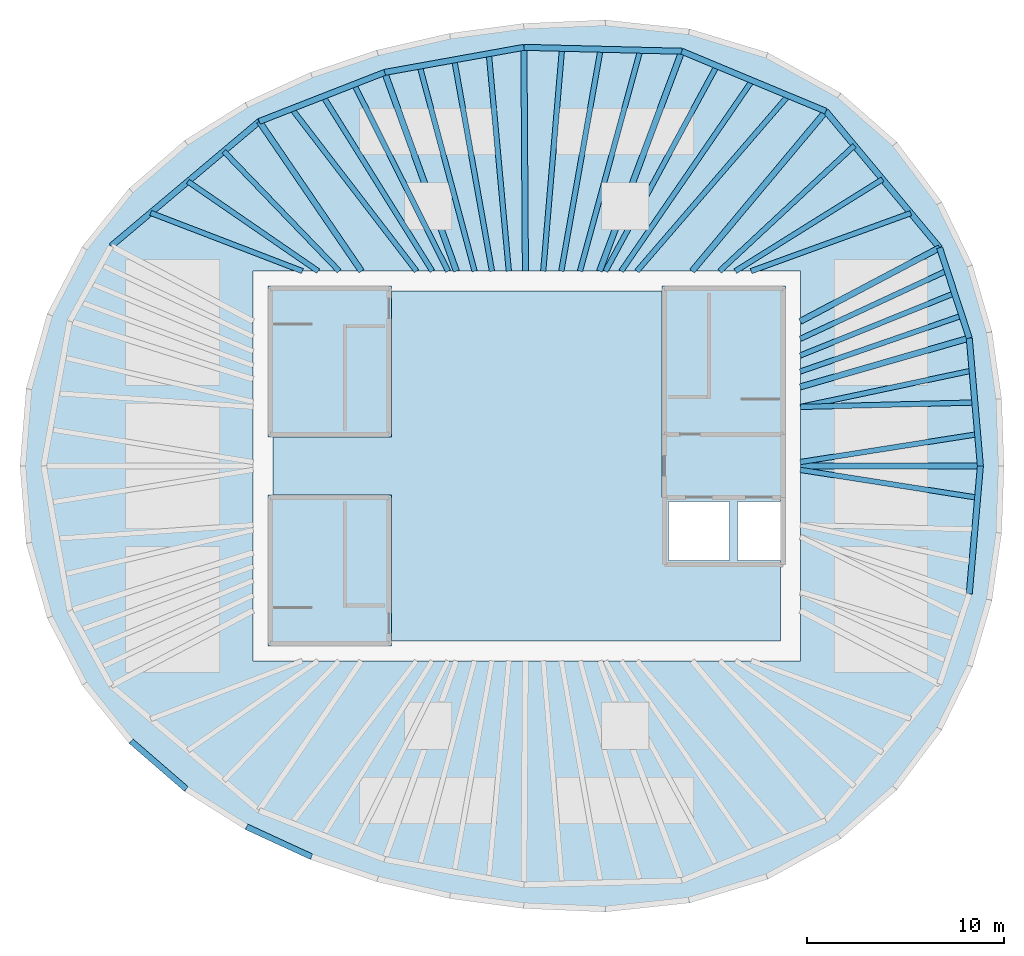
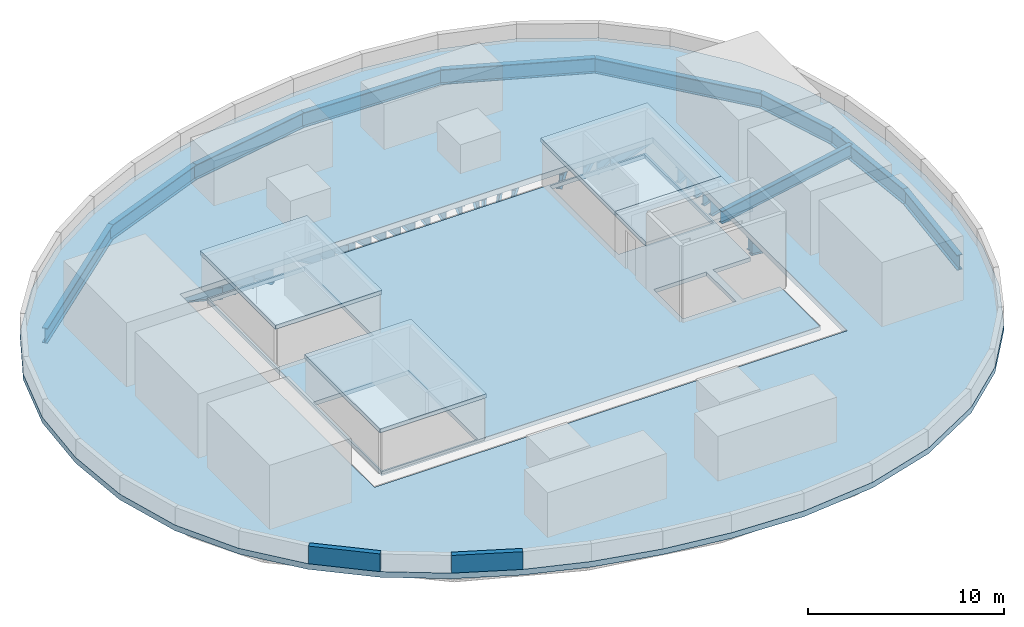
# One storey, part 2 of 6: 42 beams, 6 slabs, 2 walls.
"""IFC4 building model written with IfcOpenShell, lengths in metres."""

from ifc_helpers import new_model, si_unit, direction, frame, frame_2d, origin, origin_2d, place, context, subcontext, project, spatial, polyline, rectangle, i_section, outline, extrude, material, layer, layer_set, material_profile, profile_set, type_object, element, save


model = new_model("IFC4")

# Units and contexts
model_context = context("Model", 3, precision=1e-05, world=origin(), true_north=direction((0.0, 1.0)))
body_context = subcontext(model_context, "Body", "Model", "MODEL_VIEW")
ifc_project = project(units=[si_unit("LENGTHUNIT", "METRE"), si_unit("AREAUNIT", "SQUARE_METRE"), si_unit("VOLUMEUNIT", "CUBIC_METRE"), si_unit("PLANEANGLEUNIT", "RADIAN"), si_unit("MASSUNIT", "GRAM", prefix="KILO")], contexts=[model_context])

# Site, building, storey
site_placement = place(None, origin())
site = spatial("IfcSite", under=ifc_project, at=site_placement, CompositionType="ELEMENT")
building_placement = place(site_placement, origin())
building = spatial("IfcBuilding", under=site, at=building_placement, Name="Ghaith Harvest Tower", CompositionType="ELEMENT")
storey_placement = place(building_placement, frame((0.0, 0.0, 349.199951171875)))
storey = spatial("IfcBuildingStorey", under=building, at=storey_placement, Name="RF", CompositionType="ELEMENT", Elevation=349.199951171875)

# Beams
ifc_material_1 = material(Name="Steel ASTM A992 Grade 50", Category="steel")
ifc_material_profile_1 = material_profile(ifc_material_1, i_section(OverallWidth=0.306884765625, OverallDepth=0.94189453125, WebThickness=0.022216796875, FlangeThickness=0.039794921875, at=origin_2d()), Name="W920X345")
ifc_profile_set_1 = profile_set([ifc_material_profile_1], Name="Steel ASTM A992 Grade 50")
beam_type_1 = type_object("IfcBeamType", Name="E920-345 W920X345", PredefinedType="SPANDREL", material=ifc_profile_set_1)
beam_1_placement = place(storey_placement, frame((23.050048828125, 0.0, -0.821044921875), z_axis=(-0.086600547306, 0.996243115513, 0.0), x_axis=(-0.996243115513, -0.086600547306, 0.0)))
element("IfcBeam", 1, at=beam_1_placement, inside=storey, type_object=beam_type_1, Name="Edge beam E01 RF", PredefinedType="SPANDREL", context=body_context, shape_type="SweptSolid", body=[
    extrude(i_section(OverallWidth=0.306884765625, OverallDepth=0.94189453125, WebThickness=0.022216796875, FlangeThickness=0.039794921875, at=origin_2d()), origin(), (0.0, 0.0, 1.0), 6.5234375),
])
beam_2_placement = place(storey_placement, frame((22.485107421875, 6.4990234375, -0.821044921875), z_axis=(-0.312206727278, 0.950014189074, 0.0), x_axis=(-0.950014189074, -0.312206727278, 0.0)))
element("IfcBeam", 2, at=beam_2_placement, inside=storey, type_object=beam_type_1, Name="Edge beam E02 RF", PredefinedType="SPANDREL", context=body_context, shape_type="SweptSolid", body=[
    extrude(i_section(OverallWidth=0.306884765625, OverallDepth=0.94189453125, WebThickness=0.022216796875, FlangeThickness=0.039794921875, at=origin_2d()), origin(), (0.0, 0.0, 1.0), 4.830322265625),
])
beam_3_placement = place(storey_placement, frame((20.97705078125, 11.087890625, -0.821044921875), z_axis=(-0.640173759088, 0.76823014662, 0.0), x_axis=(-0.76823014662, -0.640173759088, 0.0)))
element("IfcBeam", 3, at=beam_3_placement, inside=storey, type_object=beam_type_1, Name="Edge beam E03 RF", PredefinedType="SPANDREL", context=body_context, shape_type="SweptSolid", body=[
    extrude(i_section(OverallWidth=0.306884765625, OverallDepth=0.94189453125, WebThickness=0.022216796875, FlangeThickness=0.039794921875, at=origin_2d()), origin(), (0.0, 0.0, 1.0), 9.02734375),
])
beam_4_placement = place(storey_placement, frame((15.197998046875, 18.02294921875, -0.821044921875), z_axis=(-0.923119729219, 0.384512633766, 0.0), x_axis=(-0.384512633766, -0.923119729219, 0.0)))
element("IfcBeam", 4, at=beam_4_placement, inside=storey, type_object=beam_type_1, Name="Edge beam E04 RF", PredefinedType="SPANDREL", context=body_context, shape_type="SweptSolid", body=[
    extrude(i_section(OverallWidth=0.306884765625, OverallDepth=0.94189453125, WebThickness=0.022216796875, FlangeThickness=0.039794921875, at=origin_2d()), origin(), (0.0, 0.0, 1.0), 7.9296875),
])
beam_5_placement = place(storey_placement, frame((7.8779296875, 21.072021484375, -0.821044921875), z_axis=(-0.999692679676, 0.024790042413, 0.0), x_axis=(-0.024790042413, -0.999692679676, 0.0)))
element("IfcBeam", 5, at=beam_5_placement, inside=storey, type_object=beam_type_1, Name="Edge beam E05 RF", PredefinedType="SPANDREL", context=body_context, shape_type="SweptSolid", body=[
    extrude(i_section(OverallWidth=0.306884765625, OverallDepth=0.94189453125, WebThickness=0.022216796875, FlangeThickness=0.039794921875, at=origin_2d()), origin(), (0.0, 0.0, 1.0), 8.0263671875),
])
beam_6_placement = place(storey_placement, frame((-0.14599609375, 21.27099609375, -0.821044921875), z_axis=(-0.984177047684, -0.177187863051, 0.0), x_axis=(0.177187863051, -0.984177047684, 0.0)))
element("IfcBeam", 6, at=beam_6_placement, inside=storey, type_object=beam_type_1, Name="Edge beam E06 RF", PredefinedType="SPANDREL", context=body_context, shape_type="SweptSolid", body=[
    extrude(i_section(OverallWidth=0.306884765625, OverallDepth=0.94189453125, WebThickness=0.022216796875, FlangeThickness=0.039794921875, at=origin_2d()), origin(), (0.0, 0.0, 1.0), 7.189697265625),
])
beam_7_placement = place(storey_placement, frame((-7.221923828125, 19.9970703125, -0.821044921875), z_axis=(-0.931322768207, -0.364194867371, 0.0), x_axis=(0.364194867371, -0.931322768207, 0.0)))
element("IfcBeam", 7, at=beam_7_placement, inside=storey, type_object=beam_type_1, Name="Edge beam E07 RF", PredefinedType="SPANDREL", context=body_context, shape_type="SweptSolid", body=[
    extrude(i_section(OverallWidth=0.306884765625, OverallDepth=0.94189453125, WebThickness=0.022216796875, FlangeThickness=0.039794921875, at=origin_2d()), origin(), (0.0, 0.0, 1.0), 6.843017578125),
])
beam_8_placement = place(storey_placement, frame((-13.594970703125, 17.5048828125, -0.821044921875), z_axis=(-0.765021818761, -0.64400436087, 0.0), x_axis=(0.64400436087, -0.765021818761, 0.0)))
element("IfcBeam", 8, at=beam_8_placement, inside=storey, type_object=beam_type_1, Name="Edge beam E08 RF", PredefinedType="SPANDREL", context=body_context, shape_type="SweptSolid", body=[
    extrude(i_section(OverallWidth=0.306884765625, OverallDepth=0.94189453125, WebThickness=0.022216796875, FlangeThickness=0.039794921875, at=origin_2d()), origin(), (0.0, 0.0, 1.0), 9.8427734375),
])
beam_9_placement = place(storey_placement, frame((22.485107421875, -6.4990234375, -0.821044921875), z_axis=(0.086600547306, 0.996243115513, 0.0), x_axis=(-0.996243115513, 0.086600547306, 0.0)))
element("IfcBeam", 9, at=beam_9_placement, inside=storey, type_object=beam_type_1, Name="Edge beam E20 RF", PredefinedType="SPANDREL", context=body_context, shape_type="SweptSolid", body=[
    extrude(i_section(OverallWidth=0.306884765625, OverallDepth=0.94189453125, WebThickness=0.022216796875, FlangeThickness=0.039794921875, at=origin_2d()), origin(), (0.0, 0.0, 1.0), 6.5234375),
])
ifc_material_2 = material(Name="Steel ASTM A992 Grade 50", Category="steel")
ifc_material_profile_2 = material_profile(ifc_material_2, i_section(OverallWidth=0.31005859375, OverallDepth=0.927001953125, WebThickness=0.019287109375, FlangeThickness=0.031982421875, at=origin_2d()), Name="W920X289")
ifc_profile_set_2 = profile_set([ifc_material_profile_2], Name="Steel ASTM A992 Grade 50")
beam_type_2 = type_object("IfcBeamType", Name="G920-289 W920X289", PredefinedType="BEAM", material=ifc_profile_set_2)
beam_10_placement = place(storey_placement, frame((13.89990234375, 0.0, -0.8134765625), z_axis=(1.0, 0.0, 0.0), x_axis=(0.0, 1.0, 0.0)))
element("IfcBeam", 10, at=beam_10_placement, inside=storey, type_object=beam_type_2, Name="Radial girder G01 RF", PredefinedType="BEAM", context=body_context, shape_type="SweptSolid", body=[
    extrude(i_section(OverallWidth=0.31005859375, OverallDepth=0.927001953125, WebThickness=0.019287109375, FlangeThickness=0.031982421875, at=origin_2d()), origin(), (0.0, 0.0, 1.0), 9.150146484375),
])
beam_11_placement = place(storey_placement, frame((13.89990234375, 4.017333984375, -0.8134765625), z_axis=(0.960668846071, 0.27769653975, 0.0), x_axis=(-0.27769653975, 0.960668846071, 0.0)))
element("IfcBeam", 11, at=beam_11_placement, inside=storey, type_object=beam_type_2, Name="Radial girder G02 RF", PredefinedType="BEAM", context=body_context, shape_type="SweptSolid", body=[
    extrude(i_section(OverallWidth=0.31005859375, OverallDepth=0.927001953125, WebThickness=0.019287109375, FlangeThickness=0.031982421875, at=origin_2d()), origin(), (0.0, 0.0, 1.0), 8.936767578125),
])
beam_12_placement = place(storey_placement, frame((13.89990234375, 7.34716796875, -0.8134765625), z_axis=(0.884097820364, 0.467301876764, 0.0), x_axis=(-0.467301876764, 0.884097820364, 0.0)))
element("IfcBeam", 12, at=beam_12_placement, inside=storey, type_object=beam_type_2, Name="Radial girder G03 RF", PredefinedType="BEAM", context=body_context, shape_type="SweptSolid", body=[
    extrude(i_section(OverallWidth=0.31005859375, OverallDepth=0.927001953125, WebThickness=0.019287109375, FlangeThickness=0.031982421875, at=origin_2d()), origin(), (0.0, 0.0, 1.0), 8.0048828125),
])
beam_13_placement = place(storey_placement, frame((8.39990234375, 9.89990234375, -0.8134765625), z_axis=(0.641792628883, 0.766878231215, 0.0), x_axis=(-0.766878231215, 0.641792628883, 0.0)))
element("IfcBeam", 13, at=beam_13_placement, inside=storey, type_object=beam_type_2, Name="Radial girder G04 RF", PredefinedType="BEAM", context=body_context, shape_type="SweptSolid", body=[
    extrude(i_section(OverallWidth=0.31005859375, OverallDepth=0.927001953125, WebThickness=0.019287109375, FlangeThickness=0.031982421875, at=origin_2d()), origin(), (0.0, 0.0, 1.0), 10.59228515625),
])
beam_14_placement = place(storey_placement, frame((3.700927734375, 9.89990234375, -0.8134765625), z_axis=(0.350201332531, 0.936674450753, 0.0), x_axis=(-0.936674450753, 0.350201332531, 0.0)))
element("IfcBeam", 14, at=beam_14_placement, inside=storey, type_object=beam_type_2, Name="Radial girder G05 RF", PredefinedType="BEAM", context=body_context, shape_type="SweptSolid", body=[
    extrude(i_section(OverallWidth=0.31005859375, OverallDepth=0.927001953125, WebThickness=0.019287109375, FlangeThickness=0.031982421875, at=origin_2d()), origin(), (0.0, 0.0, 1.0), 11.927490234375),
])
beam_15_placement = place(storey_placement, frame((-0.06787109375, 9.89990234375, -0.8134765625), z_axis=(-0.00687032909, 0.999976399011, 0.0), x_axis=(-0.999976399011, -0.00687032909, 0.0)))
element("IfcBeam", 15, at=beam_15_placement, inside=storey, type_object=beam_type_2, Name="Radial girder G06 RF", PredefinedType="BEAM", context=body_context, shape_type="SweptSolid", body=[
    extrude(i_section(OverallWidth=0.31005859375, OverallDepth=0.927001953125, WebThickness=0.019287109375, FlangeThickness=0.031982421875, at=origin_2d()), origin(), (0.0, 0.0, 1.0), 11.371337890625),
])
beam_16_placement = place(storey_placement, frame((-3.57568359375, 9.89990234375, -0.8134765625), z_axis=(-0.339647816823, 0.940552688863, 0.0), x_axis=(-0.940552688863, -0.339647816823, 0.0)))
element("IfcBeam", 16, at=beam_16_placement, inside=storey, type_object=beam_type_2, Name="Radial girder G07 RF", PredefinedType="BEAM", context=body_context, shape_type="SweptSolid", body=[
    extrude(i_section(OverallWidth=0.31005859375, OverallDepth=0.927001953125, WebThickness=0.019287109375, FlangeThickness=0.031982421875, at=origin_2d()), origin(), (0.0, 0.0, 1.0), 10.7353515625),
])
beam_17_placement = place(storey_placement, frame((-8.39990234375, 9.89990234375, -0.8134765625), z_axis=(-0.564067018201, 0.825729010619, 0.0), x_axis=(-0.825729010619, -0.564067018201, 0.0)))
element("IfcBeam", 17, at=beam_17_placement, inside=storey, type_object=beam_type_2, Name="Radial girder G08 RF", PredefinedType="BEAM", context=body_context, shape_type="SweptSolid", body=[
    extrude(i_section(OverallWidth=0.31005859375, OverallDepth=0.927001953125, WebThickness=0.019287109375, FlangeThickness=0.031982421875, at=origin_2d()), origin(), (0.0, 0.0, 1.0), 9.2099609375),
])
ifc_material_3 = material(Name="Steel ASTM A992 Grade 50", Category="steel")
ifc_material_profile_3 = material_profile(ifc_material_3, i_section(OverallWidth=0.26806640625, OverallDepth=0.77001953125, WebThickness=0.015625, FlangeThickness=0.025390625, at=origin_2d()), Name="W760X196")
ifc_profile_set_3 = profile_set([ifc_material_profile_3], Name="Steel ASTM A992 Grade 50")
beam_type_3 = type_object("IfcBeamType", Name="J760-196 W760X196", PredefinedType="JOIST", material=ifc_profile_set_3)
beam_18_placement = place(storey_placement, frame((13.89990234375, 0.199951171875, -0.73486328125), z_axis=(0.987906665526, 0.155049734628, 0.0), x_axis=(-0.155049734628, 0.987906665526, 0.0)))
element("IfcBeam", 18, at=beam_18_placement, inside=storey, type_object=beam_type_3, Name="Joist J01.1 RF", PredefinedType="JOIST", context=body_context, shape_type="SweptSolid", body=[
    extrude(i_section(OverallWidth=0.26806640625, OverallDepth=0.77001953125, WebThickness=0.015625, FlangeThickness=0.025390625, at=origin_2d()), origin(), (0.0, 0.0, 1.0), 9.1201171875),
])
beam_19_placement = place(storey_placement, frame((13.89990234375, 3.0, -0.73486328125), z_axis=(0.999679533859, 0.025314612071, 0.0), x_axis=(-0.025314612071, 0.999679533859, 0.0)))
element("IfcBeam", 19, at=beam_19_placement, inside=storey, type_object=beam_type_3, Name="Joist J01.2 RF", PredefinedType="JOIST", context=body_context, shape_type="SweptSolid", body=[
    extrude(i_section(OverallWidth=0.26806640625, OverallDepth=0.77001953125, WebThickness=0.015625, FlangeThickness=0.025390625, at=origin_2d()), origin(), (0.0, 0.0, 1.0), 8.872802734375),
])
beam_20_placement = place(storey_placement, frame((13.89990234375, 3.0, -0.73486328125), z_axis=(0.97833382446, 0.207033639579, 0.0), x_axis=(-0.207033639579, 0.97833382446, 0.0)))
element("IfcBeam", 20, at=beam_20_placement, inside=storey, type_object=beam_type_3, Name="Joist J01.3 RF", PredefinedType="JOIST", context=body_context, shape_type="SweptSolid", body=[
    extrude(i_section(OverallWidth=0.26806640625, OverallDepth=0.77001953125, WebThickness=0.015625, FlangeThickness=0.025390625, at=origin_2d()), origin(), (0.0, 0.0, 1.0), 8.922119140625),
])
beam_21_placement = place(storey_placement, frame((13.89990234375, 4.801025390625, -0.73486328125), z_axis=(0.945204712775, 0.326478254937, 0.0), x_axis=(-0.326478254937, 0.945204712775, 0.0)))
element("IfcBeam", 21, at=beam_21_placement, inside=storey, type_object=beam_type_3, Name="Joist J02.1 RF", PredefinedType="JOIST", context=body_context, shape_type="SweptSolid", body=[
    extrude(i_section(OverallWidth=0.26806640625, OverallDepth=0.77001953125, WebThickness=0.015625, FlangeThickness=0.025390625, at=origin_2d()), origin(), (0.0, 0.0, 1.0), 8.687255859375),
])
beam_22_placement = place(storey_placement, frame((13.89990234375, 5.61328125, -0.73486328125), z_axis=(0.927254375113, 0.374432001615, 0.0), x_axis=(-0.374432001615, 0.927254375113, 0.0)))
element("IfcBeam", 22, at=beam_22_placement, inside=storey, type_object=beam_type_3, Name="Joist J02.2 RF", PredefinedType="JOIST", context=body_context, shape_type="SweptSolid", body=[
    extrude(i_section(OverallWidth=0.26806640625, OverallDepth=0.77001953125, WebThickness=0.015625, FlangeThickness=0.025390625, at=origin_2d()), origin(), (0.0, 0.0, 1.0), 8.450927734375),
])
beam_23_placement = place(storey_placement, frame((13.89990234375, 6.45947265625, -0.73486328125), z_axis=(0.906859906661, 0.42143221245, 0.0), x_axis=(-0.42143221245, 0.906859906661, 0.0)))
element("IfcBeam", 23, at=beam_23_placement, inside=storey, type_object=beam_type_3, Name="Joist J02.3 RF", PredefinedType="JOIST", context=body_context, shape_type="SweptSolid", body=[
    extrude(i_section(OverallWidth=0.26806640625, OverallDepth=0.77001953125, WebThickness=0.015625, FlangeThickness=0.025390625, at=origin_2d()), origin(), (0.0, 0.0, 1.0), 8.22509765625),
])
beam_24_placement = place(storey_placement, frame((11.39990234375, 9.89990234375, -0.73486328125), z_axis=(0.939925501564, 0.341379629605, 0.0), x_axis=(-0.341379629605, 0.939925501564, 0.0)))
element("IfcBeam", 24, at=beam_24_placement, inside=storey, type_object=beam_type_3, Name="Joist J03.1 RF", PredefinedType="JOIST", context=body_context, shape_type="SweptSolid", body=[
    extrude(i_section(OverallWidth=0.26806640625, OverallDepth=0.77001953125, WebThickness=0.015625, FlangeThickness=0.025390625, at=origin_2d()), origin(), (0.0, 0.0, 1.0), 8.630615234375),
])
beam_25_placement = place(storey_placement, frame((10.60009765625, 9.89990234375, -0.73486328125), z_axis=(0.84837619421, 0.52939383553, 0.0), x_axis=(-0.52939383553, 0.84837619421, 0.0)))
element("IfcBeam", 25, at=beam_25_placement, inside=storey, type_object=beam_type_3, Name="Joist J03.2 RF", PredefinedType="JOIST", context=body_context, shape_type="SweptSolid", body=[
    extrude(i_section(OverallWidth=0.26806640625, OverallDepth=0.77001953125, WebThickness=0.015625, FlangeThickness=0.025390625, at=origin_2d()), origin(), (0.0, 0.0, 1.0), 8.814697265625),
])
beam_26_placement = place(storey_placement, frame((9.800048828125, 9.89990234375, -0.73486328125), z_axis=(0.73164904944, 0.681681500742, 0.0), x_axis=(-0.681681500742, 0.73164904944, 0.0)))
element("IfcBeam", 26, at=beam_26_placement, inside=storey, type_object=beam_type_3, Name="Joist J03.3 RF", PredefinedType="JOIST", context=body_context, shape_type="SweptSolid", body=[
    extrude(i_section(OverallWidth=0.26806640625, OverallDepth=0.77001953125, WebThickness=0.015625, FlangeThickness=0.025390625, at=origin_2d()), origin(), (0.0, 0.0, 1.0), 9.361572265625),
])
beam_27_placement = place(storey_placement, frame((5.60009765625, 9.89990234375, -0.73486328125), z_axis=(0.652992938501, 0.757363995888, 0.0), x_axis=(-0.757363995888, 0.652992938501, 0.0)))
element("IfcBeam", 27, at=beam_27_placement, inside=storey, type_object=beam_type_3, Name="Joist J04.1 RF", PredefinedType="JOIST", context=body_context, shape_type="SweptSolid", body=[
    extrude(i_section(OverallWidth=0.26806640625, OverallDepth=0.77001953125, WebThickness=0.015625, FlangeThickness=0.025390625, at=origin_2d()), origin(), (0.0, 0.0, 1.0), 11.775390625),
])
beam_28_placement = place(storey_placement, frame((4.800048828125, 9.89990234375, -0.73486328125), z_axis=(0.566228035119, 0.824248634967, 0.0), x_axis=(-0.824248634967, 0.566228035119, 0.0)))
element("IfcBeam", 28, at=beam_28_placement, inside=storey, type_object=beam_type_3, Name="Joist J04.2 RF", PredefinedType="JOIST", context=body_context, shape_type="SweptSolid", body=[
    extrude(i_section(OverallWidth=0.26806640625, OverallDepth=0.77001953125, WebThickness=0.015625, FlangeThickness=0.025390625, at=origin_2d()), origin(), (0.0, 0.0, 1.0), 11.748046875),
])
beam_29_placement = place(storey_placement, frame((4.0, 9.89990234375, -0.73486328125), z_axis=(0.476764926531, 0.879030832696, 0.0), x_axis=(-0.879030832696, 0.476764926531, 0.0)))
element("IfcBeam", 29, at=beam_29_placement, inside=storey, type_object=beam_type_3, Name="Joist J04.3 RF", PredefinedType="JOIST", context=body_context, shape_type="SweptSolid", body=[
    extrude(i_section(OverallWidth=0.26806640625, OverallDepth=0.77001953125, WebThickness=0.015625, FlangeThickness=0.025390625, at=origin_2d()), origin(), (0.0, 0.0, 1.0), 11.866455078125),
])
beam_30_placement = place(storey_placement, frame((2.70361328125, 9.89990234375, -0.73486328125), z_axis=(0.263456499314, 0.964671277156, 0.0), x_axis=(-0.964671277156, 0.263456499314, 0.0)))
element("IfcBeam", 30, at=beam_30_placement, inside=storey, type_object=beam_type_3, Name="Joist J05.1 RF", PredefinedType="JOIST", context=body_context, shape_type="SweptSolid", body=[
    extrude(i_section(OverallWidth=0.26806640625, OverallDepth=0.77001953125, WebThickness=0.015625, FlangeThickness=0.025390625, at=origin_2d()), origin(), (0.0, 0.0, 1.0), 11.635498046875),
])
beam_31_placement = place(storey_placement, frame((1.7548828125, 9.89990234375, -0.73486328125), z_axis=(0.174562528022, 0.984646090639, 0.0), x_axis=(-0.984646090639, 0.174562528022, 0.0)))
element("IfcBeam", 31, at=beam_31_placement, inside=storey, type_object=beam_type_3, Name="Joist J05.2 RF", PredefinedType="JOIST", context=body_context, shape_type="SweptSolid", body=[
    extrude(i_section(OverallWidth=0.26806640625, OverallDepth=0.77001953125, WebThickness=0.015625, FlangeThickness=0.025390625, at=origin_2d()), origin(), (0.0, 0.0, 1.0), 11.4501953125),
])
beam_32_placement = place(storey_placement, frame((0.836669921875, 9.89990234375, -0.73486328125), z_axis=(0.084199386432, 0.996448926601, 0.0), x_axis=(-0.996448926601, 0.084199386432, 0.0)))
element("IfcBeam", 32, at=beam_32_placement, inside=storey, type_object=beam_type_3, Name="Joist J05.3 RF", PredefinedType="JOIST", context=body_context, shape_type="SweptSolid", body=[
    extrude(i_section(OverallWidth=0.26806640625, OverallDepth=0.77001953125, WebThickness=0.015625, FlangeThickness=0.025390625, at=origin_2d()), origin(), (0.0, 0.0, 1.0), 11.36328125),
])
beam_33_placement = place(storey_placement, frame((-0.9111328125, 9.89990234375, -0.73486328125), z_axis=(-0.091654473201, 0.995790870385, 0.0), x_axis=(-0.995790870385, -0.091654473201, 0.0)))
element("IfcBeam", 33, at=beam_33_placement, inside=storey, type_object=beam_type_3, Name="Joist J06.1 RF", PredefinedType="JOIST", context=body_context, shape_type="SweptSolid", body=[
    extrude(i_section(OverallWidth=0.26806640625, OverallDepth=0.77001953125, WebThickness=0.015625, FlangeThickness=0.025390625, at=origin_2d()), origin(), (0.0, 0.0, 1.0), 11.096923828125),
])
beam_34_placement = place(storey_placement, frame((-1.76806640625, 9.89990234375, -0.73486328125), z_axis=(-0.175789088574, 0.984427852277, 0.0), x_axis=(-0.984427852277, -0.175789088574, 0.0)))
element("IfcBeam", 34, at=beam_34_placement, inside=storey, type_object=beam_type_3, Name="Joist J06.2 RF", PredefinedType="JOIST", context=body_context, shape_type="SweptSolid", body=[
    extrude(i_section(OverallWidth=0.26806640625, OverallDepth=0.77001953125, WebThickness=0.015625, FlangeThickness=0.025390625, at=origin_2d()), origin(), (0.0, 0.0, 1.0), 10.903564453125),
])
beam_35_placement = place(storey_placement, frame((-2.651123046875, 9.89990234375, -0.73486328125), z_axis=(-0.258678376387, 0.96596350738, 0.0), x_axis=(-0.96596350738, -0.258678376387, 0.0)))
element("IfcBeam", 35, at=beam_35_placement, inside=storey, type_object=beam_type_3, Name="Joist J06.3 RF", PredefinedType="JOIST", context=body_context, shape_type="SweptSolid", body=[
    extrude(i_section(OverallWidth=0.26806640625, OverallDepth=0.77001953125, WebThickness=0.015625, FlangeThickness=0.025390625, at=origin_2d()), origin(), (0.0, 0.0, 1.0), 10.784912109375),
])
beam_36_placement = place(storey_placement, frame((-4.0, 9.89990234375, -0.73486328125), z_axis=(-0.449556131123, 0.893252083664, 0.0), x_axis=(-0.893252083664, -0.449556131123, 0.0)))
element("IfcBeam", 36, at=beam_36_placement, inside=storey, type_object=beam_type_3, Name="Joist J07.1 RF", PredefinedType="JOIST", context=body_context, shape_type="SweptSolid", body=[
    extrude(i_section(OverallWidth=0.26806640625, OverallDepth=0.77001953125, WebThickness=0.015625, FlangeThickness=0.025390625, at=origin_2d()), origin(), (0.0, 0.0, 1.0), 10.62353515625),
])
beam_37_placement = place(storey_placement, frame((-4.800048828125, 9.89990234375, -0.73486328125), z_axis=(-0.529596254905, 0.848249849273, 0.0), x_axis=(-0.848249849273, -0.529596254905, 0.0)))
element("IfcBeam", 37, at=beam_37_placement, inside=storey, type_object=beam_type_3, Name="Joist J07.2 RF", PredefinedType="JOIST", context=body_context, shape_type="SweptSolid", body=[
    extrude(i_section(OverallWidth=0.26806640625, OverallDepth=0.77001953125, WebThickness=0.015625, FlangeThickness=0.025390625, at=origin_2d()), origin(), (0.0, 0.0, 1.0), 10.465087890625),
])
beam_38_placement = place(storey_placement, frame((-5.60009765625, 9.89990234375, -0.73486328125), z_axis=(-0.609353577926, 0.792898617144, 0.0), x_axis=(-0.792898617144, -0.609353577926, 0.0)))
element("IfcBeam", 38, at=beam_38_placement, inside=storey, type_object=beam_type_3, Name="Joist J07.3 RF", PredefinedType="JOIST", context=body_context, shape_type="SweptSolid", body=[
    extrude(i_section(OverallWidth=0.26806640625, OverallDepth=0.77001953125, WebThickness=0.015625, FlangeThickness=0.025390625, at=origin_2d()), origin(), (0.0, 0.0, 1.0), 10.406982421875),
])
beam_39_placement = place(storey_placement, frame((-9.530517578125, 9.89990234375, -0.73486328125), z_axis=(-0.693536238632, 0.720421741554, 0.0), x_axis=(-0.720421741554, -0.693536238632, 0.0)))
element("IfcBeam", 39, at=beam_39_placement, inside=storey, type_object=beam_type_3, Name="Joist J08.1 RF", PredefinedType="JOIST", context=body_context, shape_type="SweptSolid", body=[
    extrude(i_section(OverallWidth=0.26806640625, OverallDepth=0.77001953125, WebThickness=0.015625, FlangeThickness=0.025390625, at=origin_2d()), origin(), (0.0, 0.0, 1.0), 8.4541015625),
])
beam_40_placement = place(storey_placement, frame((-10.60009765625, 9.89990234375, -0.73486328125), z_axis=(-0.823778502511, 0.566911791023, 0.0), x_axis=(-0.566911791023, -0.823778502511, 0.0)))
element("IfcBeam", 40, at=beam_40_placement, inside=storey, type_object=beam_type_3, Name="Joist J08.2 RF", PredefinedType="JOIST", context=body_context, shape_type="SweptSolid", body=[
    extrude(i_section(OverallWidth=0.26806640625, OverallDepth=0.77001953125, WebThickness=0.015625, FlangeThickness=0.025390625, at=origin_2d()), origin(), (0.0, 0.0, 1.0), 8.0341796875),
])
beam_41_placement = place(storey_placement, frame((-11.39990234375, 9.89990234375, -0.73486328125), z_axis=(-0.933583045329, 0.358361127181, 0.0), x_axis=(-0.358361127181, -0.933583045329, 0.0)))
element("IfcBeam", 41, at=beam_41_placement, inside=storey, type_object=beam_type_3, Name="Joist J08.3 RF", PredefinedType="JOIST", context=body_context, shape_type="SweptSolid", body=[
    extrude(i_section(OverallWidth=0.26806640625, OverallDepth=0.77001953125, WebThickness=0.015625, FlangeThickness=0.025390625, at=origin_2d()), origin(), (0.0, 0.0, 1.0), 8.260986328125),
])
beam_42_placement = place(storey_placement, frame((13.89990234375, -0.199951171875, -0.73486328125), z_axis=(0.987906665526, -0.155049734628, 0.0), x_axis=(0.155049734628, 0.987906665526, 0.0)))
element("IfcBeam", 42, at=beam_42_placement, inside=storey, type_object=beam_type_3, Name="Joist J20.3 RF", PredefinedType="JOIST", context=body_context, shape_type="SweptSolid", body=[
    extrude(i_section(OverallWidth=0.26806640625, OverallDepth=0.77001953125, WebThickness=0.015625, FlangeThickness=0.025390625, at=origin_2d()), origin(), (0.0, 0.0, 1.0), 9.1201171875),
])

# Slabs
ifc_material_4 = material(Name="Concrete C40/50", Category="concrete")
ifc_layer_1 = layer(ifc_material_4, 0.25)
ifc_layer_set_1 = layer_set([ifc_layer_1], Name="HEAD-HOUSE ROOF SLAB 250")
slab_type_1 = type_object("IfcSlabType", Name="HEAD-HOUSE ROOF SLAB 250", PredefinedType="ROOF", material=ifc_layer_set_1)
slab_1_placement = place(storey_placement, frame((0.0, 0.0, 2.650146484375)))
element("IfcSlab", 43, at=slab_1_placement, inside=storey, type_object=slab_type_1, Name="Stair ST1 head-house roof", PredefinedType="ROOF", context=body_context, shape_type="SweptSolid", body=[
    extrude(outline(polyline([(-13.14990234375, 9.14990234375), (-13.14990234375, 1.47509765625), (-6.875, 1.47509765625), (-6.875, 9.14990234375), (-13.14990234375, 9.14990234375)])), origin(), (0.0, 0.0, 1.0), 0.25),
])
slab_2_placement = place(storey_placement, frame((0.0, 0.0, 2.650146484375)))
element("IfcSlab", 44, at=slab_2_placement, inside=storey, type_object=slab_type_1, Name="Stair ST3 head-house roof", PredefinedType="ROOF", context=body_context, shape_type="SweptSolid", body=[
    extrude(outline(polyline([(-13.14990234375, -9.14990234375), (-13.14990234375, -1.47509765625), (-6.875, -1.47509765625), (-6.875, -9.14990234375), (-13.14990234375, -9.14990234375)])), origin(), (0.0, 0.0, 1.0), 0.25),
])
slab_3_placement = place(storey_placement, frame((0.0, 0.0, 2.650146484375)))
element("IfcSlab", 45, at=slab_3_placement, inside=storey, type_object=slab_type_1, Name="Stair ST2 head-house roof", PredefinedType="ROOF", context=body_context, shape_type="SweptSolid", body=[
    extrude(outline(polyline([(13.14990234375, 1.60009765625), (13.14990234375, 9.14990234375), (6.875, 9.14990234375), (6.875, 1.60009765625), (13.14990234375, 1.60009765625)])), origin(), (0.0, 0.0, 1.0), 0.25),
])
slab_4_placement = place(storey_placement, frame((0.0, 0.0, 2.650146484375)))
element("IfcSlab", 46, at=slab_4_placement, inside=storey, type_object=slab_type_1, Name="Roof firefighting lobby roof", PredefinedType="ROOF", context=body_context, shape_type="SweptSolid", body=[
    extrude(outline(polyline([(6.875, -1.60009765625), (13.14990234375, -1.60009765625), (13.14990234375, 1.60009765625), (6.875, 1.60009765625), (6.875, -1.60009765625)])), origin(), (0.0, 0.0, 1.0), 0.25),
])
ifc_material_5 = material(Name="Concrete C40/50", Category="concrete")
ifc_layer_2 = layer(ifc_material_5, 0.25)
ifc_layer_set_2 = layer_set([ifc_layer_2], Name="ROOF SLAB 250")
slab_type_2 = type_object("IfcSlabType", Name="ROOF SLAB 250", PredefinedType="ROOF", material=ifc_layer_set_2)
slab_5_placement = place(storey_placement, frame((0.0, 0.0, -0.25)))
element("IfcSlab", 47, at=slab_5_placement, inside=storey, type_object=slab_type_2, Name="Core roof slab, maintenance access only", PredefinedType="ROOF", context=body_context, shape_type="SweptSolid", body=[
    extrude(outline(polyline([(-12.89990234375, 8.89990234375), (12.89990234375, 8.89990234375), (12.89990234375, -1.800048828125), (10.699951171875, -1.800048828125), (10.699951171875, -4.800048828125), (12.89990234375, -4.800048828125), (12.89990234375, -8.89990234375), (-12.89990234375, -8.89990234375), (-12.89990234375, 8.89990234375)]), holes=[polyline([(-12.800048828125, -1.800048828125), (-12.800048828125, -8.800048828125), (-7.199951171875, -8.800048828125), (-7.199951171875, -1.800048828125), (-12.800048828125, -1.800048828125)]), polyline([(7.199951171875, -1.800048828125), (7.199951171875, -4.800048828125), (10.300048828125, -4.800048828125), (10.300048828125, -1.800048828125), (7.199951171875, -1.800048828125)]), polyline([(-7.199951171875, 1.800048828125), (-7.199951171875, 8.800048828125), (-12.800048828125, 8.800048828125), (-12.800048828125, 1.800048828125), (-7.199951171875, 1.800048828125)]), polyline([(7.199951171875, 8.800048828125), (7.199951171875, 1.800048828125), (12.800048828125, 1.800048828125), (12.800048828125, 8.800048828125), (7.199951171875, 8.800048828125)])]), origin(), (0.0, 0.0, 1.0), 0.25),
])
ifc_material_6 = material(Name="Concrete C40/50", Category="concrete")
ifc_layer_3 = layer(ifc_material_6, 0.35009765625)
ifc_layer_set_3 = layer_set([ifc_layer_3], Name="ROOF SLAB 350")
slab_type_3 = type_object("IfcSlabType", Name="ROOF SLAB 350", PredefinedType="ROOF", material=ifc_layer_set_3)
slab_6_placement = place(storey_placement, frame((0.0, 0.0, -0.349853515625)))
element("IfcSlab", 48, at=slab_6_placement, inside=storey, type_object=slab_type_3, Name="Main roof slab, maintenance access only", PredefinedType="ROOF", context=body_context, shape_type="SweptSolid", body=[
    extrude(outline(polyline([(24.25, 0.0), (24.129150390625, 3.4169921875), (23.6376953125, 6.831787109375), (22.644775390625, 10.222900390625), (21.087890625, 13.42041015625), (18.810791015625, 16.4482421875), (15.971923828125, 18.940185546875), (12.273681640625, 20.98828125), (8.2978515625, 22.1962890625), (4.016845703125, 22.658447265625), (-0.15380859375, 22.486083984375), (-3.92529296875, 21.98046875), (-7.6298828125, 21.12548828125), (-11.009521484375, 19.98779296875), (-14.331298828125, 18.452880859375), (-17.40771484375, 16.518310546875), (-20.225830078125, 14.0732421875), (-22.5986328125, 11.12353515625), (-24.368408203125, 7.722900390625), (-25.43310546875, 3.93359375), (-25.75, 0.0), (-25.43310546875, -3.93359375), (-24.368408203125, -7.722900390625), (-22.5986328125, -11.12353515625), (-20.225830078125, -14.0732421875), (-17.40771484375, -16.518310546875), (-14.331298828125, -18.452880859375), (-11.009521484375, -19.98779296875), (-7.6298828125, -21.12548828125), (-3.92529296875, -21.98046875), (-0.15380859375, -22.486083984375), (4.016845703125, -22.658447265625), (8.2978515625, -22.1962890625), (12.273681640625, -20.98828125), (15.971923828125, -18.940185546875), (18.810791015625, -16.4482421875), (21.087890625, -13.42041015625), (22.644775390625, -10.222900390625), (23.6376953125, -6.831787109375), (24.129150390625, -3.4169921875), (24.25, 0.0)]), holes=[polyline([(-13.89990234375, -9.89990234375), (13.89990234375, -9.89990234375), (13.89990234375, 9.89990234375), (-13.89990234375, 9.89990234375), (-13.89990234375, -9.89990234375)])]), origin(), (0.0, 0.0, 1.0), 0.349853515625),
])

# Walls
ifc_material_7 = material(Name="Concrete C40/50", Category="concrete")
ifc_layer_4 = layer(ifc_material_7, 0.300048828125)
ifc_layer_set_4 = layer_set([ifc_layer_4], Name="PARAPET 300")
wall_type = type_object("IfcWallType", Name="PARAPET 300", PredefinedType="PARAPET", material=ifc_layer_set_4)
wall_1_placement = place(storey_placement, frame((-20.102783203125, -13.987548828125, 0.0), z_axis=(0.0, 0.0, 1.0), x_axis=(0.756036495661, -0.65452946246, 0.0)))
element("IfcWall", 49, at=wall_1_placement, inside=storey, type_object=wall_type, Name="Parapet 13.1 RF", PredefinedType="PARAPET", context=body_context, shape_type="SweptSolid", body=[
    extrude(rectangle(XDim=3.708740234375, YDim=0.300048828125, at=frame_2d((1.8544921875, 0.0))), origin(), (0.0, 0.0, 1.0), 1.10009765625),
])
wall_2_placement = place(storey_placement, frame((-14.2392578125, -18.33447265625, 0.0), z_axis=(0.0, 0.0, 1.0), x_axis=(0.908171520016, -0.41859824442, 0.0)))
element("IfcWall", 50, at=wall_2_placement, inside=storey, type_object=wall_type, Name="Parapet 14.1 RF", PredefinedType="PARAPET", context=body_context, shape_type="SweptSolid", body=[
    extrude(rectangle(XDim=3.635986328125, YDim=0.300048828125, at=frame_2d((1.81787109375, 0.0))), origin(), (0.0, 0.0, 1.0), 1.10009765625),
])

save(model, "model.ifc")
